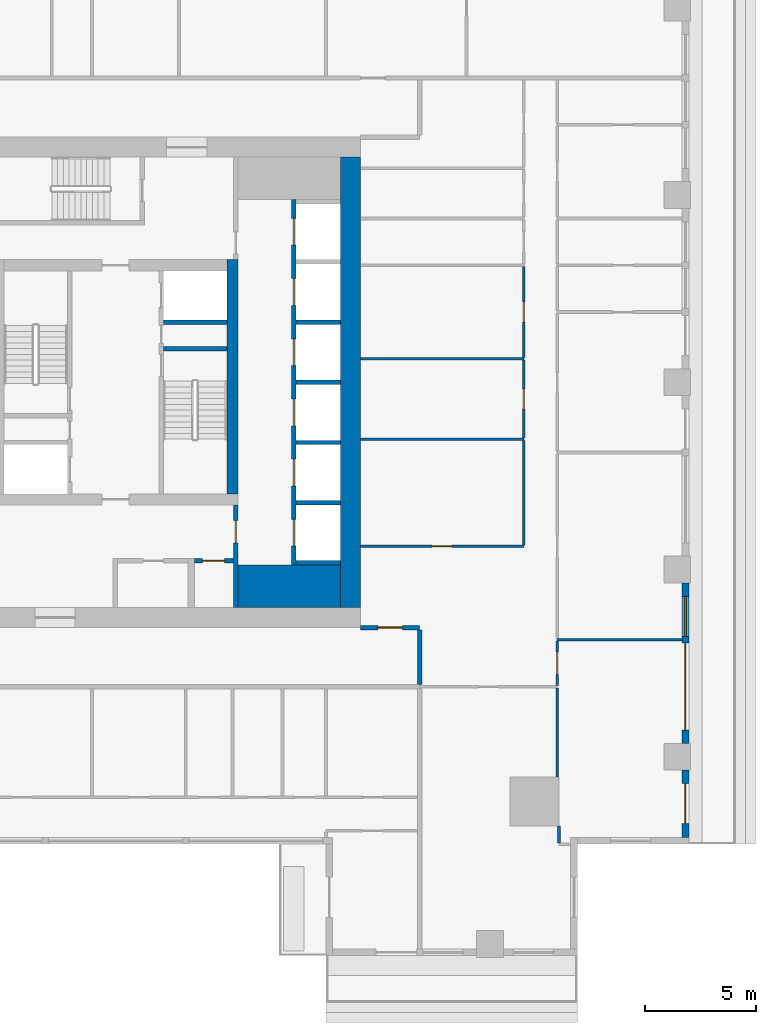
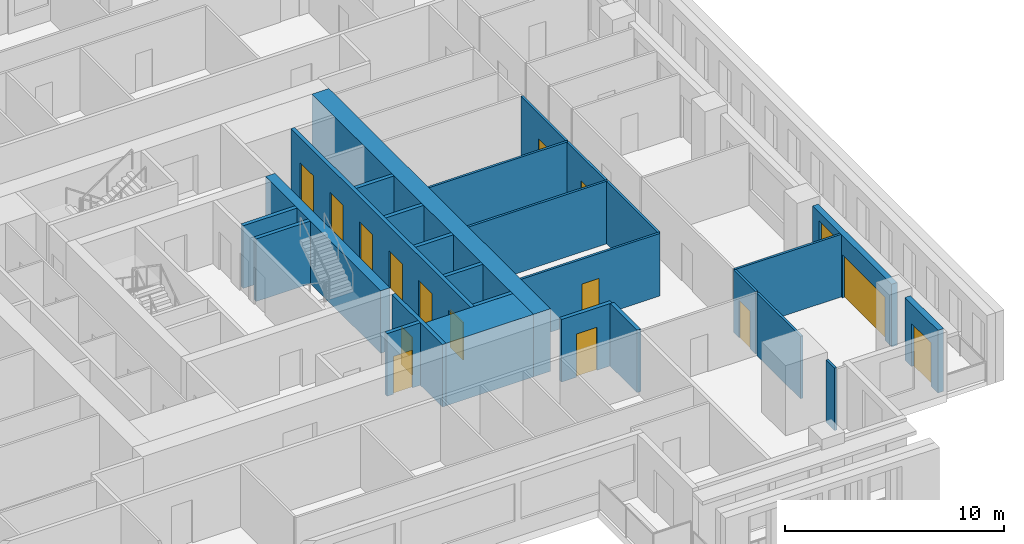
# One storey, part 5 of 14: 27 walls, 15 doors, 1 window, 16 openings.
"""IFC4 building model written with IfcOpenShell, lengths in metres."""

from ifc_helpers import new_model, si_unit, direction, frame, frame_2d, origin, place, context, subcontext, project, spatial, rectangle, extrude, material, layer, layer_set, type_object, element, fill, save


model = new_model("IFC4")

# Units and contexts
model_context = context("Model", 3, precision=1e-05, world=origin(), true_north=direction((0.0, 1.0)))
body_context = subcontext(model_context, "Body", "Model", "MODEL_VIEW")
ifc_project = project(units=[si_unit("LENGTHUNIT", "METRE"), si_unit("AREAUNIT", "SQUARE_METRE"), si_unit("VOLUMEUNIT", "CUBIC_METRE"), si_unit("PLANEANGLEUNIT", "RADIAN"), si_unit("MASSUNIT", "GRAM", prefix="KILO")], contexts=[model_context])

# Site, building, storey
site_placement = place(None, origin())
site = spatial("IfcSite", under=ifc_project, at=site_placement, CompositionType="ELEMENT")
building_placement = place(site_placement, origin())
building = spatial("IfcBuilding", under=site, at=building_placement, Name="Khepri Terraces", CompositionType="ELEMENT")
storey_placement = place(building_placement, frame((0.0, 0.0, 264.0)))
storey = spatial("IfcBuildingStorey", under=building, at=storey_placement, Name="L63", CompositionType="ELEMENT", Elevation=264.0)

# Walls
ifc_material_1 = material(Name="Concrete C40/50", Category="concrete")
ifc_layer_1 = layer(ifc_material_1, 1.89990234375, Name="Concrete C40/50", Category="concrete")
ifc_layer_set_1 = layer_set([ifc_layer_1], Name="Concrete C40/50")
wall_type_1 = type_object("IfcWallType", Name="Core wall 1900 C40/50", PredefinedType="SHEAR", material=ifc_layer_set_1)
wall_1_placement = place(storey_placement, frame((5.5, -9.14990234375, 0.0), z_axis=(0.0, 0.0, 1.0), x_axis=(1.0, 0.0, 0.0)))
element("IfcWall", 1, at=wall_1_placement, inside=storey, type_object=wall_type_1, Name="Core wall PR02 L63", PredefinedType="SHEAR", context=body_context, shape_type="SweptSolid", body=[
    extrude(rectangle(XDim=4.60009765625, YDim=1.89990234375, at=frame_2d((2.300048828125, 0.0))), origin(), (0.0, 0.0, 1.0), 3.47998046875),
])
ifc_layer_2 = layer(ifc_material_1, 0.199951171875, Name="Concrete C40/50", Category="concrete")
ifc_layer_set_2 = layer_set([ifc_layer_2], Name="Concrete C40/50")
wall_type_2 = type_object("IfcWallType", Name="Core wall 200 C40/50", PredefinedType="SHEAR", material=ifc_layer_set_2)
wall_2_placement = place(storey_placement, frame((2.14990234375, 1.5, 0.0), z_axis=(0.0, 0.0, 1.0), x_axis=(1.0, 0.0, 0.0)))
element("IfcWall", 2, at=wall_2_placement, inside=storey, type_object=wall_type_2, Name="Core wall ST04 L63", PredefinedType="SHEAR", context=body_context, shape_type="SweptSolid", body=[
    extrude(rectangle(XDim=2.85009765625, YDim=0.199951171875, at=frame_2d((1.425048828125, 0.0))), origin(), (0.0, 0.0, 1.0), 3.47998046875),
])

# Wall, openings, doors
wall_3_placement = place(storey_placement, frame((8.0, -8.199951171875, 0.0), z_axis=(0.0, 0.0, 1.0), x_axis=(0.0, 1.0, 0.0)))
wall_3 = element("IfcWall", 3, at=wall_3_placement, inside=storey, type_object=wall_type_2, Name="Core wall SH02 L63", PredefinedType="SHEAR", context=body_context, shape_type="SweptSolid", body=[
    extrude(rectangle(XDim=16.39990234375, YDim=0.199951171875, at=frame_2d((8.199951171875, 0.0))), origin(), (0.0, 0.0, 1.0), 3.47998046875),
])
opening_1_placement = place(wall_3_placement, frame((0.85009765625, 0.0, 0.0)))
opening_1 = element("IfcOpeningElement", 4, at=opening_1_placement, cuts=wall_3, Name="Opening L63-C01", PredefinedType="OPENING", context=body_context, shape_type="SweptSolid", body=[
    extrude(rectangle(XDim=1.199951171875, YDim=2.10009765625, at=frame_2d((0.60009765625, 1.050048828125))), frame((0.0, 0.10986328125, 0.0), z_axis=(0.0, -1.0, 0.0), x_axis=(1.0, 0.0, 0.0)), (0.0, 0.0, 1.0), 0.219970703125),
])
opening_2_placement = place(wall_3_placement, frame((3.550048828125, 0.0, 0.0)))
opening_2 = element("IfcOpeningElement", 5, at=opening_2_placement, cuts=wall_3, Name="Opening L63-C02", PredefinedType="OPENING", context=body_context, shape_type="SweptSolid", body=[
    extrude(rectangle(XDim=1.199951171875, YDim=2.10009765625, at=frame_2d((0.60009765625, 1.050048828125))), frame((0.0, 0.10986328125, 0.0), z_axis=(0.0, -1.0, 0.0), x_axis=(1.0, 0.0, 0.0)), (0.0, 0.0, 1.0), 0.219970703125),
])
opening_3_placement = place(wall_3_placement, frame((6.25, 0.0, 0.0)))
opening_3 = element("IfcOpeningElement", 6, at=opening_3_placement, cuts=wall_3, Name="Opening L63-C03", PredefinedType="OPENING", context=body_context, shape_type="SweptSolid", body=[
    extrude(rectangle(XDim=1.199951171875, YDim=2.10009765625, at=frame_2d((0.60009765625, 1.050048828125))), frame((0.0, 0.10986328125, 0.0), z_axis=(0.0, -1.0, 0.0), x_axis=(1.0, 0.0, 0.0)), (0.0, 0.0, 1.0), 0.219970703125),
])
opening_4_placement = place(wall_3_placement, frame((8.949951171875, 0.0, 0.0)))
opening_4 = element("IfcOpeningElement", 7, at=opening_4_placement, cuts=wall_3, Name="Opening L63-C04", PredefinedType="OPENING", context=body_context, shape_type="SweptSolid", body=[
    extrude(rectangle(XDim=1.199951171875, YDim=2.10009765625, at=frame_2d((0.60009765625, 1.050048828125))), frame((0.0, 0.10986328125, 0.0), z_axis=(0.0, -1.0, 0.0), x_axis=(1.0, 0.0, 0.0)), (0.0, 0.0, 1.0), 0.219970703125),
])
opening_5_placement = place(wall_3_placement, frame((11.64990234375, 0.0, 0.0)))
opening_5 = element("IfcOpeningElement", 8, at=opening_5_placement, cuts=wall_3, Name="Opening L63-C05", PredefinedType="OPENING", context=body_context, shape_type="SweptSolid", body=[
    extrude(rectangle(XDim=1.199951171875, YDim=2.10009765625, at=frame_2d((0.60009765625, 1.050048828125))), frame((0.0, 0.10986328125, 0.0), z_axis=(0.0, -1.0, 0.0), x_axis=(1.0, 0.0, 0.0)), (0.0, 0.0, 1.0), 0.219970703125),
])
opening_6_placement = place(wall_3_placement, frame((14.35009765625, 0.0, 0.0)))
opening_6 = element("IfcOpeningElement", 9, at=opening_6_placement, cuts=wall_3, Name="Opening L63-C06", PredefinedType="OPENING", context=body_context, shape_type="SweptSolid", body=[
    extrude(rectangle(XDim=1.199951171875, YDim=2.10009765625, at=frame_2d((0.60009765625, 1.050048828125))), frame((0.0, 0.10986328125, 0.0), z_axis=(0.0, -1.0, 0.0), x_axis=(1.0, 0.0, 0.0)), (0.0, 0.0, 1.0), 0.219970703125),
])
ifc_material_2 = material(Name="Stainless steel 304", Category="steel")
door_type_1 = type_object("IfcDoorType", Name="DR-CORE-LANDING-1200", OperationType="NOTDEFINED", PredefinedType="DOOR", material=ifc_material_2)
door_1_placement = place(opening_1_placement, origin())
door_1 = element("IfcDoor", 10, at=door_1_placement, inside=storey, type_object=door_type_1, Name="Lift landing door L63-C01", OperationType="SLIDING_TO_LEFT", OverallHeight=2.10009765625, OverallWidth=1.199951171875, PredefinedType="DOOR", context=body_context, shape_type="SweptSolid", body=[
    extrude(rectangle(XDim=1.199951171875, YDim=2.10009765625, at=frame_2d((0.60009765625, 1.050048828125))), frame((0.0, 0.02490234375, 0.0), z_axis=(0.0, -1.0, 0.0), x_axis=(1.0, 0.0, 0.0)), (0.0, 0.0, 1.0), 0.050048828125),
])
fill(opening_1, door_1)
door_2_placement = place(opening_2_placement, origin())
door_2 = element("IfcDoor", 11, at=door_2_placement, inside=storey, type_object=door_type_1, Name="Lift landing door L63-C02", OperationType="SLIDING_TO_LEFT", OverallHeight=2.10009765625, OverallWidth=1.199951171875, PredefinedType="DOOR", context=body_context, shape_type="SweptSolid", body=[
    extrude(rectangle(XDim=1.199951171875, YDim=2.10009765625, at=frame_2d((0.60009765625, 1.050048828125))), frame((0.0, 0.02490234375, 0.0), z_axis=(0.0, -1.0, 0.0), x_axis=(1.0, 0.0, 0.0)), (0.0, 0.0, 1.0), 0.050048828125),
])
fill(opening_2, door_2)
door_3_placement = place(opening_3_placement, origin())
door_3 = element("IfcDoor", 12, at=door_3_placement, inside=storey, type_object=door_type_1, Name="Lift landing door L63-C03", OperationType="SLIDING_TO_LEFT", OverallHeight=2.10009765625, OverallWidth=1.199951171875, PredefinedType="DOOR", context=body_context, shape_type="SweptSolid", body=[
    extrude(rectangle(XDim=1.199951171875, YDim=2.10009765625, at=frame_2d((0.60009765625, 1.050048828125))), frame((0.0, 0.02490234375, 0.0), z_axis=(0.0, -1.0, 0.0), x_axis=(1.0, 0.0, 0.0)), (0.0, 0.0, 1.0), 0.050048828125),
])
fill(opening_3, door_3)
door_4_placement = place(opening_4_placement, origin())
door_4 = element("IfcDoor", 13, at=door_4_placement, inside=storey, type_object=door_type_1, Name="Lift landing door L63-C04", OperationType="SLIDING_TO_LEFT", OverallHeight=2.10009765625, OverallWidth=1.199951171875, PredefinedType="DOOR", context=body_context, shape_type="SweptSolid", body=[
    extrude(rectangle(XDim=1.199951171875, YDim=2.10009765625, at=frame_2d((0.60009765625, 1.050048828125))), frame((0.0, 0.02490234375, 0.0), z_axis=(0.0, -1.0, 0.0), x_axis=(1.0, 0.0, 0.0)), (0.0, 0.0, 1.0), 0.050048828125),
])
fill(opening_4, door_4)
door_5_placement = place(opening_5_placement, origin())
door_5 = element("IfcDoor", 14, at=door_5_placement, inside=storey, type_object=door_type_1, Name="Lift landing door L63-C05", OperationType="SLIDING_TO_LEFT", OverallHeight=2.10009765625, OverallWidth=1.199951171875, PredefinedType="DOOR", context=body_context, shape_type="SweptSolid", body=[
    extrude(rectangle(XDim=1.199951171875, YDim=2.10009765625, at=frame_2d((0.60009765625, 1.050048828125))), frame((0.0, 0.02490234375, 0.0), z_axis=(0.0, -1.0, 0.0), x_axis=(1.0, 0.0, 0.0)), (0.0, 0.0, 1.0), 0.050048828125),
])
fill(opening_5, door_5)
door_6_placement = place(opening_6_placement, origin())
door_6 = element("IfcDoor", 15, at=door_6_placement, inside=storey, type_object=door_type_1, Name="Lift landing door L63-C06", OperationType="SLIDING_TO_LEFT", OverallHeight=2.10009765625, OverallWidth=1.199951171875, PredefinedType="DOOR", context=body_context, shape_type="SweptSolid", body=[
    extrude(rectangle(XDim=1.199951171875, YDim=2.10009765625, at=frame_2d((0.60009765625, 1.050048828125))), frame((0.0, 0.02490234375, 0.0), z_axis=(0.0, -1.0, 0.0), x_axis=(1.0, 0.0, 0.0)), (0.0, 0.0, 1.0), 0.050048828125),
])
fill(opening_6, door_6)

# Walls
for number, where, z_axis, x_axis, name in (
    (16, (8.10009765625, -8.10009765625, 0.0), (0.0, 0.0, 1.0), (1.0, 0.0, 0.0), "Core wall SH03 L63"),
    (17, (8.10009765625, -5.39990234375, 0.0), (0.0, 0.0, 1.0), (1.0, 0.0, 0.0), "Core wall SH04 L63"),
    (18, (8.10009765625, -2.699951171875, 0.0), (0.0, 0.0, 1.0), (1.0, 0.0, 0.0), "Core wall SH08 L63"),
    (19, (8.10009765625, 0.0, 0.0), (0.0, 0.0, 1.0), (1.0, 0.0, 0.0), "Core wall SH09 L63"),
):
    element("IfcWall", number, at=place(storey_placement, frame(where, z_axis=z_axis, x_axis=x_axis)), inside=storey, type_object=wall_type_2, Name=name, PredefinedType="SHEAR", context=body_context, shape_type="SweptSolid", body=[
        extrude(rectangle(XDim=2.0, YDim=0.199951171875, at=frame_2d((1.0, 0.0))), origin(), (0.0, 0.0, 1.0), 3.47998046875),
    ])
wall_4_placement = place(storey_placement, frame((2.14990234375, 2.699951171875, 0.0), z_axis=(0.0, 0.0, 1.0), x_axis=(1.0, 0.0, 0.0)))
element("IfcWall", 20, at=wall_4_placement, inside=storey, type_object=wall_type_2, Name="Core wall SH12 L63", PredefinedType="SHEAR", context=body_context, shape_type="SweptSolid", body=[
    extrude(rectangle(XDim=2.85009765625, YDim=0.199951171875, at=frame_2d((1.425048828125, 0.0))), origin(), (0.0, 0.0, 1.0), 3.47998046875),
])
wall_5_placement = place(storey_placement, frame((8.10009765625, 2.699951171875, 0.0), z_axis=(0.0, 0.0, 1.0), x_axis=(1.0, 0.0, 0.0)))
element("IfcWall", 21, at=wall_5_placement, inside=storey, type_object=wall_type_2, Name="Core wall SH13 L63", PredefinedType="SHEAR", context=body_context, shape_type="SweptSolid", body=[
    extrude(rectangle(XDim=2.0, YDim=0.199951171875, at=frame_2d((1.0, 0.0))), origin(), (0.0, 0.0, 1.0), 3.47998046875),
])
ifc_layer_3 = layer(ifc_material_1, 0.5, Name="Concrete C40/50", Category="concrete")
ifc_layer_set_3 = layer_set([ifc_layer_3], Name="Concrete C40/50")
wall_type_3 = type_object("IfcWallType", Name="Core wall 500 C40/50", PredefinedType="SHEAR", material=ifc_layer_set_3)
wall_6_placement = place(storey_placement, frame((5.25, -5.0, 0.0), z_axis=(0.0, 0.0, 1.0), x_axis=(0.0, 1.0, 0.0)))
element("IfcWall", 22, at=wall_6_placement, inside=storey, type_object=wall_type_3, Name="Core wall BX03 L63", PredefinedType="SHEAR", context=body_context, shape_type="SweptSolid", body=[
    extrude(rectangle(XDim=10.5, YDim=0.5, at=frame_2d((5.25, 0.0))), origin(), (0.0, 0.0, 1.0), 3.47998046875),
])
ifc_layer_4 = layer(ifc_material_1, 0.89990234375, Name="Concrete C40/50", Category="concrete")
ifc_layer_set_4 = layer_set([ifc_layer_4], Name="Concrete C40/50")
wall_type_4 = type_object("IfcWallType", Name="Core wall 900 C40/50", PredefinedType="SHEAR", material=ifc_layer_set_4)
wall_7_placement = place(storey_placement, frame((10.550048828125, -10.10009765625, 0.0), z_axis=(0.0, 0.0, 1.0), x_axis=(0.0, 1.0, 0.0)))
element("IfcWall", 23, at=wall_7_placement, inside=storey, type_object=wall_type_4, Name="Core wall OW-E L63", PredefinedType="SHEAR", context=body_context, shape_type="SweptSolid", body=[
    extrude(rectangle(XDim=20.2001953125, YDim=0.89990234375, at=frame_2d((10.10009765625, 0.0))), origin(), (0.0, 0.0, 1.0), 3.47998046875),
])

# Wall, opening, door
ifc_material_3 = material(Name="Fire-rated gypsum board partition")
ifc_layer_5 = layer(ifc_material_3, 0.199951171875, Name="Fire-rated gypsum board partition")
ifc_layer_set_5 = layer_set([ifc_layer_5], Name="Fire-rated gypsum board partition")
wall_type_5 = type_object("IfcWallType", Name="WL-CORE-PART-200", PredefinedType="PARTITIONING", material=ifc_layer_set_5)
wall_8_placement = place(storey_placement, frame((5.39990234375, -10.10009765625, 0.0), z_axis=(0.0, 0.0, 1.0), x_axis=(0.0, 1.0, 0.0)))
wall_8 = element("IfcWall", 24, at=wall_8_placement, inside=storey, type_object=wall_type_5, Name="Core partition PT04 L63", PredefinedType="PARTITIONING", context=body_context, shape_type="SweptSolid", body=[
    extrude(rectangle(XDim=4.60009765625, YDim=0.199951171875, at=frame_2d((2.300048828125, 0.0))), origin(), (0.0, 0.0, 1.0), 3.47998046875),
])
opening_7_placement = place(wall_8_placement, frame((2.89990234375, 0.0, 0.0)))
opening_7 = element("IfcOpeningElement", 25, at=opening_7_placement, cuts=wall_8, Name="Opening L63-C19", PredefinedType="OPENING", context=body_context, shape_type="SweptSolid", body=[
    extrude(rectangle(XDim=1.0, YDim=2.10009765625, at=frame_2d((0.5, 1.050048828125))), frame((0.0, 0.10986328125, 0.0), z_axis=(0.0, -1.0, 0.0), x_axis=(1.0, 0.0, 0.0)), (0.0, 0.0, 1.0), 0.219970703125),
])
ifc_material_4 = material(Name="Painted steel", Category="steel")
door_type_2 = type_object("IfcDoorType", Name="DR-CORE-LOBBY-1000", OperationType="NOTDEFINED", PredefinedType="DOOR", material=ifc_material_4)
door_7_placement = place(opening_7_placement, origin())
door_7 = element("IfcDoor", 26, at=door_7_placement, inside=storey, type_object=door_type_2, Name="Lobby door L63-C19", OperationType="SINGLE_SWING_RIGHT", OverallHeight=2.10009765625, OverallWidth=1.0, PredefinedType="DOOR", context=body_context, shape_type="SweptSolid", body=[
    extrude(rectangle(XDim=1.0, YDim=2.10009765625, at=frame_2d((0.5, 1.050048828125))), frame((0.0, 0.02490234375, 0.0), z_axis=(0.0, -1.0, 0.0), x_axis=(1.0, 0.0, 0.0)), (0.0, 0.0, 1.0), 0.050048828125),
])
fill(opening_7, door_7)

wall_9_placement = place(storey_placement, frame((3.550048828125, -8.0, 0.0), z_axis=(0.0, 0.0, 1.0), x_axis=(1.0, 0.0, 0.0)))
wall_9 = element("IfcWall", 27, at=wall_9_placement, inside=storey, type_object=wall_type_5, Name="Core partition PT07 L63", PredefinedType="PARTITIONING", context=body_context, shape_type="SweptSolid", body=[
    extrude(rectangle(XDim=1.75, YDim=0.199951171875, at=frame_2d((0.875, 0.0))), origin(), (0.0, 0.0, 1.0), 3.47998046875),
])
opening_8_placement = place(wall_9_placement, frame((0.35009765625, 0.0, 0.0)))
opening_8 = element("IfcOpeningElement", 28, at=opening_8_placement, cuts=wall_9, Name="Opening L63-C23", PredefinedType="OPENING", context=body_context, shape_type="SweptSolid", body=[
    extrude(rectangle(XDim=1.0, YDim=2.10009765625, at=frame_2d((0.5, 1.050048828125))), frame((0.0, 0.10986328125, 0.0), z_axis=(0.0, -1.0, 0.0), x_axis=(1.0, 0.0, 0.0)), (0.0, 0.0, 1.0), 0.219970703125),
])
ifc_material_5 = material(Name="Timber veneer", Category="wood")
door_type_3 = type_object("IfcDoorType", Name="DR-CORE-WC-1000", OperationType="NOTDEFINED", PredefinedType="DOOR", material=ifc_material_5)
door_8_placement = place(opening_8_placement, frame((1.0, 0.0, 0.0), z_axis=(0.0, 0.0, 1.0), x_axis=(-1.0, 0.0, 0.0)))
door_8 = element("IfcDoor", 29, at=door_8_placement, inside=storey, type_object=door_type_3, Name="WC door L63-C23", OperationType="SINGLE_SWING_RIGHT", OverallHeight=2.10009765625, OverallWidth=1.0, PredefinedType="DOOR", context=body_context, shape_type="SweptSolid", body=[
    extrude(rectangle(XDim=1.0, YDim=2.10009765625, at=frame_2d((0.5, 1.050048828125))), frame((0.0, 0.02490234375, 0.0), z_axis=(0.0, -1.0, 0.0), x_axis=(1.0, 0.0, 0.0)), (0.0, 0.0, 1.0), 0.050048828125),
])
fill(opening_8, door_8)

# Wall
ifc_material_6 = material(Name="Fire-rated gypsum plasterboard partition, mineral wool")
ifc_layer_6 = layer(ifc_material_6, 0.199951171875, Name="Fire-rated gypsum plasterboard partition, mineral wool")
ifc_layer_set_6 = layer_set([ifc_layer_6], Name="Fire-rated gypsum plasterboard partition, mineral wool")
wall_type_6 = type_object("IfcWallType", Name="WL-CORR-200", PredefinedType="PARTITIONING", material=ifc_layer_set_6)
wall_10_placement = place(storey_placement, frame((13.64990234375, -13.550048828125, 0.0), z_axis=(0.0, 0.0, 1.0), x_axis=(0.0, 1.0, 0.0)))
element("IfcWall", 30, at=wall_10_placement, inside=storey, type_object=wall_type_6, Name="Partition P-024 L63", PredefinedType="PARTITIONING", context=body_context, shape_type="SweptSolid", body=[
    extrude(rectangle(XDim=2.449951171875, YDim=0.199951171875, at=frame_2d((1.22509765625, 0.0))), origin(), (0.0, 0.0, 1.0), 3.47998046875),
])

# Wall, opening, door
wall_11_placement = place(storey_placement, frame((11.0, -11.0, 0.0), z_axis=(0.0, 0.0, 1.0), x_axis=(1.0, 0.0, 0.0)))
wall_11 = element("IfcWall", 31, at=wall_11_placement, inside=storey, type_object=wall_type_6, Name="Partition P-032 L63", PredefinedType="PARTITIONING", context=body_context, shape_type="SweptSolid", body=[
    extrude(rectangle(XDim=2.64990234375, YDim=0.199951171875, at=frame_2d((1.324951171875, 0.0))), origin(), (0.0, 0.0, 1.0), 3.47998046875),
])
opening_9_placement = place(wall_11_placement, frame((0.77490234375, 0.0, 0.0)))
opening_9 = element("IfcOpeningElement", 32, at=opening_9_placement, cuts=wall_11, Name="Opening D1", PredefinedType="OPENING", context=body_context, shape_type="SweptSolid", body=[
    extrude(rectangle(XDim=1.10009765625, YDim=2.39990234375, at=frame_2d((0.550048828125, 1.199951171875))), frame((0.0, 0.10986328125, 0.0), z_axis=(0.0, -1.0, 0.0), x_axis=(1.0, 0.0, 0.0)), (0.0, 0.0, 1.0), 0.219970703125),
])
ifc_material_7 = material(Name="Solid-core timber door leaf, flat entrance door", Category="wood")
door_type_4 = type_object("IfcDoorType", Name="DR-ENT-1100", OperationType="NOTDEFINED", PredefinedType="DOOR", material=ifc_material_7)
door_9_placement = place(opening_9_placement, origin())
door_9 = element("IfcDoor", 33, at=door_9_placement, inside=storey, type_object=door_type_4, Name="Flat B1 entrance door", OperationType="SINGLE_SWING_LEFT", OverallHeight=2.39990234375, OverallWidth=1.10009765625, PredefinedType="DOOR", context=body_context, shape_type="SweptSolid", body=[
    extrude(rectangle(XDim=1.10009765625, YDim=2.39990234375, at=frame_2d((0.550048828125, 1.199951171875))), frame((0.0, 0.02490234375, 0.0), z_axis=(0.0, -1.0, 0.0), x_axis=(1.0, 0.0, 0.0)), (0.0, 0.0, 1.0), 0.050048828125),
])
fill(opening_9, door_9)

ifc_material_8 = material(Name="Precast concrete C50/60 warm stone", Category="masonry")
ifc_layer_7 = layer(ifc_material_8, 0.300048828125, Name="Precast concrete C50/60 warm stone", Category="masonry")
ifc_layer_set_7 = layer_set([ifc_layer_7], Name="Precast concrete C50/60 warm stone")
wall_type_7 = type_object("IfcWallType", Name="WL-EXT-PRECAST-300", PredefinedType="STANDARD", material=ifc_layer_set_7)
wall_12_placement = place(storey_placement, frame((25.570068359375, -20.419921875, 0.0), z_axis=(0.0, 0.0, 1.0), x_axis=(0.0, 1.0, 0.0)))
wall_12 = element("IfcWall", 34, at=wall_12_placement, inside=storey, type_object=wall_type_7, Name="External wall L63 E", PredefinedType="STANDARD", context=body_context, shape_type="SweptSolid", body=[
    extrude(rectangle(XDim=3.02001953125, YDim=0.300048828125, at=frame_2d((1.510009765625, 0.0))), origin(), (0.0, 0.0, 1.0), 3.47998046875),
])
opening_10_placement = place(wall_12_placement, frame((0.6201171875, 0.0, 0.0)))
opening_10 = element("IfcOpeningElement", 35, at=opening_10_placement, cuts=wall_12, Name="Opening ED-L63-01", PredefinedType="OPENING", context=body_context, shape_type="SweptSolid", body=[
    extrude(rectangle(XDim=1.800048828125, YDim=2.39990234375, at=frame_2d((0.89990234375, 1.199951171875))), frame((0.0, 0.16015625, 0.0), z_axis=(0.0, -1.0, 0.0), x_axis=(1.0, 0.0, 0.0)), (0.0, 0.0, 1.0), 0.320068359375),
])
ifc_material_9 = material(Name="Anodised aluminium bronze glazed door", Category="aluminium")
door_type_5 = type_object("IfcDoorType", Name="DR-BAL-SLIDE-1800x2400", OperationType="NOTDEFINED", PredefinedType="DOOR", material=ifc_material_9)
door_10_placement = place(opening_10_placement, origin())
door_10 = element("IfcDoor", 36, at=door_10_placement, inside=storey, type_object=door_type_5, Name="Balcony door L63 E", OperationType="SLIDING_TO_RIGHT", OverallHeight=2.39990234375, OverallWidth=1.800048828125, PredefinedType="DOOR", context=body_context, shape_type="SweptSolid", body=[
    extrude(rectangle(XDim=1.800048828125, YDim=2.39990234375, at=frame_2d((0.89990234375, 1.199951171875))), frame((0.0, 0.02490234375, 0.0), z_axis=(0.0, -1.0, 0.0), x_axis=(1.0, 0.0, 0.0)), (0.0, 0.0, 1.0), 0.050048828125),
])
fill(opening_10, door_10)

# Wall, openings, door, window
wall_13_placement = place(storey_placement, frame((25.570068359375, -16.199951171875, 0.0), z_axis=(0.0, 0.0, 1.0), x_axis=(0.0, 1.0, 0.0)))
wall_13 = element("IfcWall", 37, at=wall_13_placement, inside=storey, type_object=wall_type_7, Name="External wall L63 E", PredefinedType="STANDARD", context=body_context, shape_type="SweptSolid", body=[
    extrude(rectangle(XDim=7.199951171875, YDim=0.300048828125, at=frame_2d((3.60009765625, 0.0))), origin(), (0.0, 0.0, 1.0), 3.47998046875),
])
opening_11_placement = place(wall_13_placement, frame((0.60009765625, 0.0, 0.0)))
opening_11 = element("IfcOpeningElement", 38, at=opening_11_placement, cuts=wall_13, Name="Opening ED-L63-02", PredefinedType="OPENING", context=body_context, shape_type="SweptSolid", body=[
    extrude(rectangle(XDim=3.89990234375, YDim=2.39990234375, at=frame_2d((1.949951171875, 1.199951171875))), frame((0.0, 0.16015625, 0.0), z_axis=(0.0, -1.0, 0.0), x_axis=(1.0, 0.0, 0.0)), (0.0, 0.0, 1.0), 0.320068359375),
])
opening_12_placement = place(wall_13_placement, frame((4.800048828125, 0.0, 0.89990234375)))
opening_12 = element("IfcOpeningElement", 39, at=opening_12_placement, cuts=wall_13, Name="Opening W1", PredefinedType="OPENING", context=body_context, shape_type="SweptSolid", body=[
    extrude(rectangle(XDim=1.800048828125, YDim=2.10009765625, at=frame_2d((0.89990234375, 1.050048828125))), frame((0.0, 0.16015625, 0.0), z_axis=(0.0, -1.0, 0.0), x_axis=(1.0, 0.0, 0.0)), (0.0, 0.0, 1.0), 0.320068359375),
])
door_type_6 = type_object("IfcDoorType", Name="DR-BAL-SLIDE-3900x2400", OperationType="NOTDEFINED", PredefinedType="DOOR", material=ifc_material_9)
door_11_placement = place(opening_11_placement, origin())
door_11 = element("IfcDoor", 40, at=door_11_placement, inside=storey, type_object=door_type_6, Name="Balcony door L63 E", OperationType="SLIDING_TO_LEFT", OverallHeight=2.39990234375, OverallWidth=3.89990234375, PredefinedType="DOOR", context=body_context, shape_type="SweptSolid", body=[
    extrude(rectangle(XDim=3.89990234375, YDim=2.39990234375, at=frame_2d((1.949951171875, 1.199951171875))), frame((0.0, 0.02490234375, 0.0), z_axis=(0.0, -1.0, 0.0), x_axis=(1.0, 0.0, 0.0)), (0.0, 0.0, 1.0), 0.050048828125),
])
fill(opening_11, door_11)
ifc_material_10 = material(Name="Clear glass", Category="glass")
window_type = type_object("IfcWindowType", Name="WIN-RES-1800x2100", PartitioningType="SINGLE_PANEL", PredefinedType="WINDOW", material=ifc_material_10)
window_placement = place(opening_12_placement, origin())
window = element("IfcWindow", 41, at=window_placement, inside=storey, type_object=window_type, Name="Window L63 E", OverallHeight=2.10009765625, OverallWidth=1.800048828125, PartitioningType="SINGLE_PANEL", PredefinedType="WINDOW", context=body_context, shape_type="SweptSolid", body=[
    extrude(rectangle(XDim=1.800048828125, YDim=2.10009765625, at=frame_2d((0.89990234375, 1.050048828125))), frame((0.0, 0.030029296875, 0.0), z_axis=(0.0, -1.0, 0.0), x_axis=(1.0, 0.0, 0.0)), (0.0, 0.0, 1.0), 0.06005859375),
])
fill(opening_12, window)

# Walls
ifc_material_11 = material(Name="Gypsum plasterboard partition")
ifc_layer_8 = layer(ifc_material_11, 0.1201171875, Name="Gypsum plasterboard partition")
ifc_layer_set_8 = layer_set([ifc_layer_8], Name="Gypsum plasterboard partition")
wall_type_8 = type_object("IfcWallType", Name="WL-PART-120", PredefinedType="PARTITIONING", material=ifc_layer_set_8)
wall_14_placement = place(storey_placement, frame((19.90087890625, -20.658935546875, 0.0), z_axis=(0.0, 0.0, 1.0), x_axis=(0.0, 1.0, 0.0)))
element("IfcWall", 42, at=wall_14_placement, inside=storey, type_object=wall_type_8, Name="Partition P-006 L63", PredefinedType="PARTITIONING", context=body_context, shape_type="SweptSolid", body=[
    extrude(rectangle(XDim=0.759033203125, YDim=0.1201171875, at=frame_2d((0.37939453125, 0.0))), origin(), (0.0, 0.0, 1.0), 3.47998046875),
])
wall_15_placement = place(storey_placement, frame((19.820068359375, -17.699951171875, 0.0), z_axis=(0.0, 0.0, 1.0), x_axis=(0.0, 1.0, 0.0)))
element("IfcWall", 43, at=wall_15_placement, inside=storey, type_object=wall_type_8, Name="Partition P-017 L63", PredefinedType="PARTITIONING", context=body_context, shape_type="SweptSolid", body=[
    extrude(rectangle(XDim=3.989990234375, YDim=0.1201171875, at=frame_2d((1.9951171875, 0.0))), origin(), (0.0, 0.0, 1.0), 3.47998046875),
])

# Wall, opening, door
wall_16_placement = place(storey_placement, frame((19.820068359375, -13.590087890625, 0.0), z_axis=(0.0, 0.0, 1.0), x_axis=(0.0, 1.0, 0.0)))
wall_16 = element("IfcWall", 44, at=wall_16_placement, inside=storey, type_object=wall_type_8, Name="Partition P-020 L63", PredefinedType="PARTITIONING", context=body_context, shape_type="SweptSolid", body=[
    extrude(rectangle(XDim=1.97998046875, YDim=0.1201171875, at=frame_2d((0.989990234375, 0.0))), origin(), (0.0, 0.0, 1.0), 3.47998046875),
])
opening_13_placement = place(wall_16_placement, frame((0.489990234375, 0.0, 0.0)))
opening_13 = element("IfcOpeningElement", 45, at=opening_13_placement, cuts=wall_16, Name="Opening D2", PredefinedType="OPENING", context=body_context, shape_type="SweptSolid", body=[
    extrude(rectangle(XDim=1.0, YDim=2.10009765625, at=frame_2d((0.5, 1.050048828125))), frame((0.0, 0.070068359375, 0.0), z_axis=(0.0, -1.0, 0.0), x_axis=(1.0, 0.0, 0.0)), (0.0, 0.0, 1.0), 0.14013671875),
])
ifc_material_12 = material(Name="Timber door leaf, living room door", Category="wood")
door_type_7 = type_object("IfcDoorType", Name="DR-INT-1000", OperationType="NOTDEFINED", PredefinedType="DOOR", material=ifc_material_12)
door_12_placement = place(opening_13_placement, frame((1.0, 0.0, 0.0), z_axis=(0.0, 0.0, 1.0), x_axis=(-1.0, 0.0, 0.0)))
door_12 = element("IfcDoor", 46, at=door_12_placement, inside=storey, type_object=door_type_7, Name="Door Living Room", OperationType="SINGLE_SWING_RIGHT", OverallHeight=2.10009765625, OverallWidth=1.0, PredefinedType="DOOR", context=body_context, shape_type="SweptSolid", body=[
    extrude(rectangle(XDim=1.0, YDim=2.10009765625, at=frame_2d((0.5, 1.050048828125))), frame((0.0, 0.02490234375, 0.0), z_axis=(0.0, -1.0, 0.0), x_axis=(1.0, 0.0, 0.0)), (0.0, 0.0, 1.0), 0.050048828125),
])
fill(opening_13, door_12)

# Wall
wall_17_placement = place(storey_placement, frame((19.820068359375, -11.550048828125, 0.0), z_axis=(0.0, 0.0, 1.0), x_axis=(1.0, 0.0, 0.0)))
element("IfcWall", 47, at=wall_17_placement, inside=storey, type_object=wall_type_8, Name="Partition P-027 L63", PredefinedType="PARTITIONING", context=body_context, shape_type="SweptSolid", body=[
    extrude(rectangle(XDim=5.599853515625, YDim=0.1201171875, at=frame_2d((2.7998046875, 0.0))), origin(), (0.0, 0.0, 1.0), 3.47998046875),
])

# Wall, opening, door
wall_18_placement = place(storey_placement, frame((11.0, -7.35009765625, 0.0), z_axis=(0.0, 0.0, 1.0), x_axis=(1.0, 0.0, 0.0)))
wall_18 = element("IfcWall", 48, at=wall_18_placement, inside=storey, type_object=wall_type_8, Name="Partition P-034 L63", PredefinedType="PARTITIONING", context=body_context, shape_type="SweptSolid", body=[
    extrude(rectangle(XDim=7.320068359375, YDim=0.1201171875, at=frame_2d((3.66015625, 0.0))), origin(), (0.0, 0.0, 1.0), 3.47998046875),
])
opening_14_placement = place(wall_18_placement, frame((3.2099609375, 0.0, 0.0)))
opening_14 = element("IfcOpeningElement", 49, at=opening_14_placement, cuts=wall_18, Name="Opening D3", PredefinedType="OPENING", context=body_context, shape_type="SweptSolid", body=[
    extrude(rectangle(XDim=0.89990234375, YDim=2.10009765625, at=frame_2d((0.449951171875, 1.050048828125))), frame((0.0, 0.070068359375, 0.0), z_axis=(0.0, -1.0, 0.0), x_axis=(1.0, 0.0, 0.0)), (0.0, 0.0, 1.0), 0.14013671875),
])
ifc_material_13 = material(Name="Timber door leaf", Category="wood")
door_type_8 = type_object("IfcDoorType", Name="DR-INT-900", OperationType="NOTDEFINED", PredefinedType="DOOR", material=ifc_material_13)
door_13_placement = place(opening_14_placement, origin())
door_13 = element("IfcDoor", 50, at=door_13_placement, inside=storey, type_object=door_type_8, Name="Door Kitchen", OperationType="SINGLE_SWING_RIGHT", OverallHeight=2.10009765625, OverallWidth=0.89990234375, PredefinedType="DOOR", context=body_context, shape_type="SweptSolid", body=[
    extrude(rectangle(XDim=0.89990234375, YDim=2.10009765625, at=frame_2d((0.449951171875, 1.050048828125))), frame((0.0, 0.02490234375, 0.0), z_axis=(0.0, -1.0, 0.0), x_axis=(1.0, 0.0, 0.0)), (0.0, 0.0, 1.0), 0.050048828125),
])
fill(opening_14, door_13)

# Walls
wall_19_placement = place(storey_placement, frame((18.320068359375, -7.2900390625, 0.0), z_axis=(0.0, 0.0, 1.0), x_axis=(0.0, 1.0, 0.0)))
element("IfcWall", 51, at=wall_19_placement, inside=storey, type_object=wall_type_8, Name="Partition P-036 L63", PredefinedType="PARTITIONING", context=body_context, shape_type="SweptSolid", body=[
    extrude(rectangle(XDim=4.679931640625, YDim=0.1201171875, at=frame_2d((2.33984375, 0.0))), origin(), (0.0, 0.0, 1.0), 3.47998046875),
])
wall_20_placement = place(storey_placement, frame((11.0, -2.550048828125, 0.0), z_axis=(0.0, 0.0, 1.0), x_axis=(1.0, 0.0, 0.0)))
element("IfcWall", 52, at=wall_20_placement, inside=storey, type_object=wall_type_8, Name="Partition P-045 L63", PredefinedType="PARTITIONING", context=body_context, shape_type="SweptSolid", body=[
    extrude(rectangle(XDim=7.320068359375, YDim=0.1201171875, at=frame_2d((3.66015625, 0.0))), origin(), (0.0, 0.0, 1.0), 3.47998046875),
])

# Wall, opening, door
wall_21_placement = place(storey_placement, frame((18.320068359375, -2.489990234375, 0.0), z_axis=(0.0, 0.0, 1.0), x_axis=(0.0, 1.0, 0.0)))
wall_21 = element("IfcWall", 53, at=wall_21_placement, inside=storey, type_object=wall_type_8, Name="Partition P-046 L63", PredefinedType="PARTITIONING", context=body_context, shape_type="SweptSolid", body=[
    extrude(rectangle(XDim=3.47998046875, YDim=0.1201171875, at=frame_2d((1.739990234375, 0.0))), origin(), (0.0, 0.0, 1.0), 3.47998046875),
])
opening_15_placement = place(wall_21_placement, frame((1.2900390625, 0.0, 0.0)))
opening_15 = element("IfcOpeningElement", 54, at=opening_15_placement, cuts=wall_21, Name="Opening D3", PredefinedType="OPENING", context=body_context, shape_type="SweptSolid", body=[
    extrude(rectangle(XDim=0.89990234375, YDim=2.10009765625, at=frame_2d((0.449951171875, 1.050048828125))), frame((0.0, 0.070068359375, 0.0), z_axis=(0.0, -1.0, 0.0), x_axis=(1.0, 0.0, 0.0)), (0.0, 0.0, 1.0), 0.14013671875),
])
door_14_placement = place(opening_15_placement, origin())
door_14 = element("IfcDoor", 55, at=door_14_placement, inside=storey, type_object=door_type_8, Name="Door Utility Room", OperationType="SINGLE_SWING_RIGHT", OverallHeight=2.10009765625, OverallWidth=0.89990234375, PredefinedType="DOOR", context=body_context, shape_type="SweptSolid", body=[
    extrude(rectangle(XDim=0.89990234375, YDim=2.10009765625, at=frame_2d((0.449951171875, 1.050048828125))), frame((0.0, 0.02490234375, 0.0), z_axis=(0.0, -1.0, 0.0), x_axis=(1.0, 0.0, 0.0)), (0.0, 0.0, 1.0), 0.050048828125),
])
fill(opening_15, door_14)

# Wall
wall_22_placement = place(storey_placement, frame((11.0, 1.050048828125, 0.0), z_axis=(0.0, 0.0, 1.0), x_axis=(1.0, 0.0, 0.0)))
element("IfcWall", 56, at=wall_22_placement, inside=storey, type_object=wall_type_8, Name="Partition P-052 L63", PredefinedType="PARTITIONING", context=body_context, shape_type="SweptSolid", body=[
    extrude(rectangle(XDim=7.320068359375, YDim=0.1201171875, at=frame_2d((3.66015625, 0.0))), origin(), (0.0, 0.0, 1.0), 3.47998046875),
])

# Wall, opening, door
wall_23_placement = place(storey_placement, frame((18.320068359375, 1.110107421875, 0.0), z_axis=(0.0, 0.0, 1.0), x_axis=(0.0, 1.0, 0.0)))
wall_23 = element("IfcWall", 57, at=wall_23_placement, inside=storey, type_object=wall_type_8, Name="Partition P-054 L63", PredefinedType="PARTITIONING", context=body_context, shape_type="SweptSolid", body=[
    extrude(rectangle(XDim=4.079833984375, YDim=0.1201171875, at=frame_2d((2.0400390625, 0.0))), origin(), (0.0, 0.0, 1.0), 3.47998046875),
])
opening_16_placement = place(wall_23_placement, frame((1.590087890625, 0.0, 0.0)))
opening_16 = element("IfcOpeningElement", 58, at=opening_16_placement, cuts=wall_23, Name="Opening D3", PredefinedType="OPENING", context=body_context, shape_type="SweptSolid", body=[
    extrude(rectangle(XDim=0.89990234375, YDim=2.10009765625, at=frame_2d((0.449951171875, 1.050048828125))), frame((0.0, 0.070068359375, 0.0), z_axis=(0.0, -1.0, 0.0), x_axis=(1.0, 0.0, 0.0)), (0.0, 0.0, 1.0), 0.14013671875),
])
door_15_placement = place(opening_16_placement, origin())
door_15 = element("IfcDoor", 59, at=door_15_placement, inside=storey, type_object=door_type_8, Name="Door Staff Bedroom", OperationType="SINGLE_SWING_RIGHT", OverallHeight=2.10009765625, OverallWidth=0.89990234375, PredefinedType="DOOR", context=body_context, shape_type="SweptSolid", body=[
    extrude(rectangle(XDim=0.89990234375, YDim=2.10009765625, at=frame_2d((0.449951171875, 1.050048828125))), frame((0.0, 0.02490234375, 0.0), z_axis=(0.0, -1.0, 0.0), x_axis=(1.0, 0.0, 0.0)), (0.0, 0.0, 1.0), 0.050048828125),
])
fill(opening_16, door_15)

save(model, "model.ifc")
